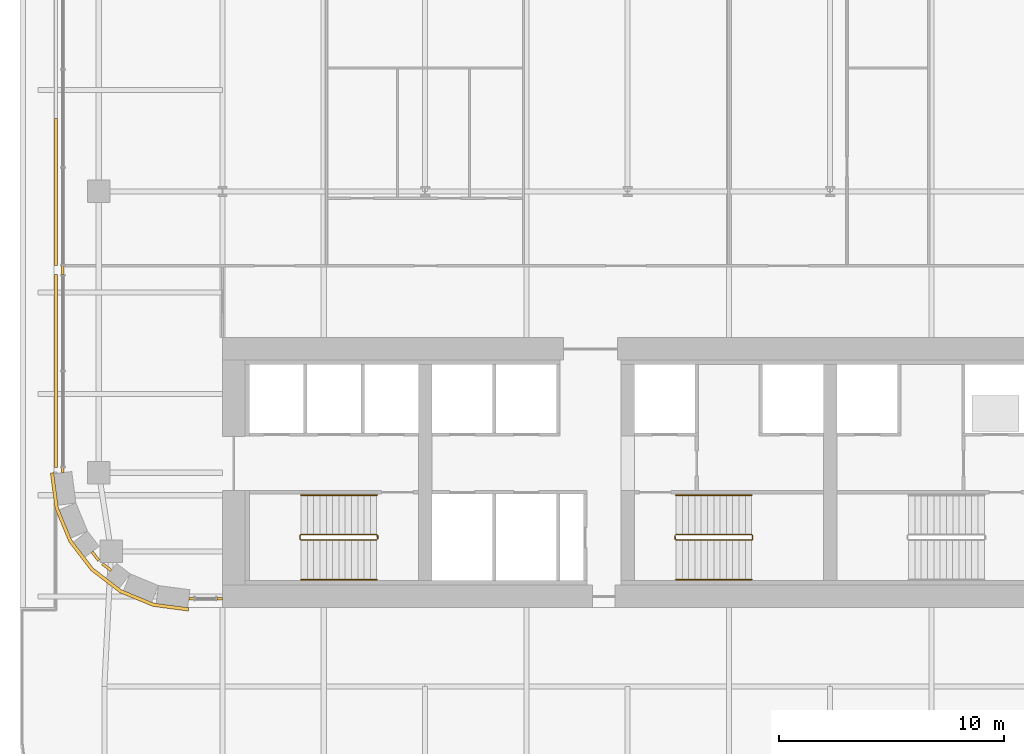
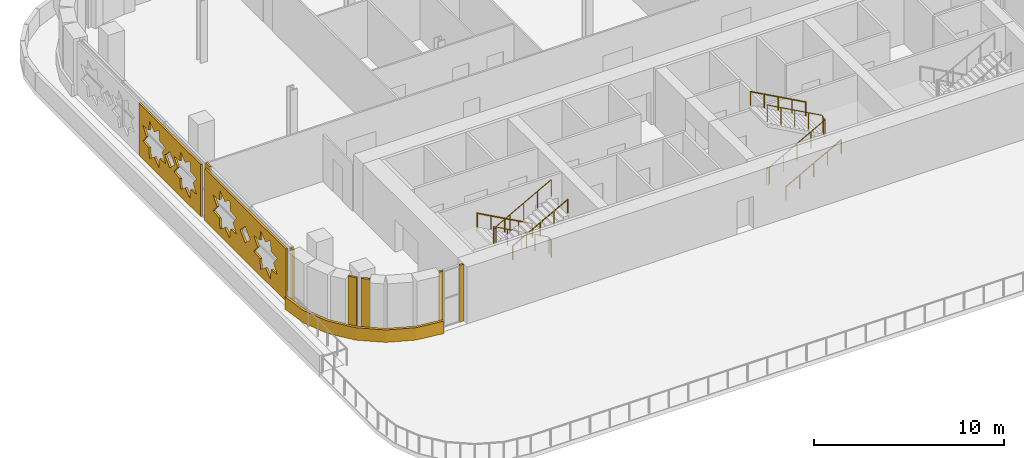
# One storey, part 19 of 26: 9 coverings, 6 railings.
"""IFC4 building model written with IfcOpenShell, lengths in metres."""

from ifc_helpers import new_model, si_unit, direction, frame, origin, origin_2d, place, context, subcontext, project, spatial, polyline, rectangle, circle, outline, extrude, material, layer, layer_set, type_object, element, save


model = new_model("IFC4")

# Units and contexts
model_context = context("Model", 3, precision=1e-05, world=origin(), true_north=direction((0.0, 1.0)))
body_context = subcontext(model_context, "Body", "Model", "MODEL_VIEW")
ifc_project = project(units=[si_unit("LENGTHUNIT", "METRE"), si_unit("AREAUNIT", "SQUARE_METRE"), si_unit("VOLUMEUNIT", "CUBIC_METRE"), si_unit("PLANEANGLEUNIT", "RADIAN"), si_unit("MASSUNIT", "GRAM", prefix="KILO")], contexts=[model_context])

# Site, building, storey
site_placement = place(None, origin())
site = spatial("IfcSite", under=ifc_project, at=site_placement, CompositionType="ELEMENT")
building_placement = place(site_placement, origin())
building = spatial("IfcBuilding", under=site, at=building_placement, Name="Zellij Exchange Tower", CompositionType="ELEMENT")
storey_placement = place(building_placement, frame((0.0, 0.0, 156.5)))
storey = spatial("IfcBuildingStorey", under=building, at=storey_placement, Name="L35", CompositionType="ELEMENT", Elevation=156.5)

# Railings
ifc_material_1 = material(Name="Stainless steel", Category="steel")
railing_type_1 = type_object("IfcRailingType", Name="CORE-RG stair guard", PredefinedType="GUARDRAIL", material=ifc_material_1)
railing_1_placement = place(storey_placement, frame((-20.10009765625, -10.800048828125, 0.0)))
element("IfcRailing", 1, at=railing_1_placement, inside=storey, type_object=railing_type_1, Name="ST1 stair guard L35", PredefinedType="GUARDRAIL", context=body_context, shape_type="SweptSolid", body=[
    extrude(circle(Radius=0.02392578125, at=origin_2d()), frame((0.0, 0.0, 1.076171875), z_axis=(0.0, -1.0, 0.0), x_axis=(1.0, 0.0, 0.0)), (0.0, 0.0, 1.0), 0.14990234375),
    extrude(circle(Radius=0.02392578125, at=origin_2d()), frame((0.0, -0.14990234375, 1.076171875), z_axis=(-0.193691321961, 0.777613689637, 0.598164376644), x_axis=(-0.970351222016, -0.241699205484, 0.0)), (0.0, 0.0, 1.0), 0.257080078125),
    extrude(circle(Radius=0.02392578125, at=origin_2d()), frame((-0.0498046875, 0.050048828125, 1.22998046875), z_axis=(-0.876421534553, 0.0, 0.481544695509), x_axis=(0.0, -1.0, 0.0)), (0.0, 0.0, 1.0), 3.833984375),
    extrude(circle(Radius=0.02392578125, at=origin_2d()), frame((-3.409912109375, 0.050048828125, 3.076171875), z_axis=(-0.707106781187, -0.707106781187, 0.0), x_axis=(0.707106781187, -0.707106781187, 0.0)), (0.0, 0.0, 1.0), 0.07080078125),
    extrude(circle(Radius=0.02392578125, at=origin_2d()), frame((-3.4599609375, 0.0, 3.076171875), z_axis=(0.0, -1.0, 0.0), x_axis=(1.0, 0.0, 0.0)), (0.0, 0.0, 1.0), 0.14990234375),
    extrude(circle(Radius=0.02392578125, at=origin_2d()), frame((-3.4599609375, -0.14990234375, 3.076171875), z_axis=(0.295599637079, -0.295599637079, 0.908428152975), x_axis=(0.707106781187, 0.707106781187, 0.0)), (0.0, 0.0, 1.0), 0.16943359375),
    extrude(circle(Radius=0.02392578125, at=origin_2d()), frame((-3.409912109375, -0.199951171875, 3.22998046875), z_axis=(0.876421534553, 0.0, 0.481544695509), x_axis=(0.0, 1.0, 0.0)), (0.0, 0.0, 1.0), 3.833984375),
    extrude(circle(Radius=0.02099609375, at=origin_2d()), origin(), (0.0, 0.0, 1.0), 1.052001953125),
    extrude(circle(Radius=0.02099609375, at=origin_2d()), frame((0.0, -0.14990234375, 0.0)), (0.0, 0.0, 1.0), 1.052001953125),
    extrude(circle(Radius=0.02099609375, at=origin_2d()), frame((-0.0498046875, 0.050048828125, 0.15380859375)), (0.0, 0.0, 1.0), 1.052001953125),
    extrude(circle(Radius=0.02099609375, at=origin_2d()), frame((-0.889892578125, 0.050048828125, 0.615234375)), (0.0, 0.0, 1.0), 1.052001953125),
    extrude(circle(Radius=0.02099609375, at=origin_2d()), frame((-1.72998046875, 0.050048828125, 1.076904296875)), (0.0, 0.0, 1.0), 1.052001953125),
    extrude(circle(Radius=0.02099609375, at=origin_2d()), frame((-2.56982421875, 0.050048828125, 1.53857421875)), (0.0, 0.0, 1.0), 1.052001953125),
    extrude(circle(Radius=0.02099609375, at=origin_2d()), frame((-3.409912109375, 0.050048828125, 2.0)), (0.0, 0.0, 1.0), 1.052001953125),
    extrude(circle(Radius=0.02099609375, at=origin_2d()), frame((-3.4599609375, 0.0, 2.0)), (0.0, 0.0, 1.0), 1.052001953125),
    extrude(circle(Radius=0.02099609375, at=origin_2d()), frame((-3.4599609375, -0.14990234375, 2.0)), (0.0, 0.0, 1.0), 1.052001953125),
    extrude(circle(Radius=0.02099609375, at=origin_2d()), frame((-3.409912109375, -0.199951171875, 2.15380859375)), (0.0, 0.0, 1.0), 1.052001953125),
    extrude(circle(Radius=0.02099609375, at=origin_2d()), frame((-2.56982421875, -0.199951171875, 2.615234375)), (0.0, 0.0, 1.0), 1.052001953125),
    extrude(circle(Radius=0.02099609375, at=origin_2d()), frame((-1.72998046875, -0.199951171875, 3.076904296875)), (0.0, 0.0, 1.0), 1.052001953125),
    extrude(circle(Radius=0.02099609375, at=origin_2d()), frame((-0.889892578125, -0.199951171875, 3.53857421875)), (0.0, 0.0, 1.0), 1.052001953125),
    extrude(circle(Radius=0.02099609375, at=origin_2d()), frame((-0.0498046875, -0.199951171875, 4.0)), (0.0, 0.0, 1.0), 1.052001953125),
])
railing_2_placement = place(storey_placement, frame((-6.89990234375, -10.949951171875, 0.0)))
element("IfcRailing", 2, at=railing_2_placement, inside=storey, type_object=railing_type_1, Name="ST2 stair guard L35", PredefinedType="GUARDRAIL", context=body_context, shape_type="SweptSolid", body=[
    extrude(circle(Radius=0.02392578125, at=origin_2d()), frame((0.0, 0.0, 1.076171875), z_axis=(0.0, 1.0, 0.0), x_axis=(-1.0, 0.0, 0.0)), (0.0, 0.0, 1.0), 0.14990234375),
    extrude(circle(Radius=0.02392578125, at=origin_2d()), frame((0.0, 0.14990234375, 1.076171875), z_axis=(0.193691321961, -0.777613689637, 0.598164376644), x_axis=(0.970351222016, 0.241699205484, 0.0)), (0.0, 0.0, 1.0), 0.257080078125),
    extrude(circle(Radius=0.02392578125, at=origin_2d()), frame((0.0498046875, -0.050048828125, 1.22998046875), z_axis=(0.876421534553, 0.0, 0.481544695509), x_axis=(0.0, 1.0, 0.0)), (0.0, 0.0, 1.0), 3.833984375),
    extrude(circle(Radius=0.02392578125, at=origin_2d()), frame((3.409912109375, -0.050048828125, 3.076171875), z_axis=(0.707106781187, 0.707106781187, 0.0), x_axis=(-0.707106781187, 0.707106781187, 0.0)), (0.0, 0.0, 1.0), 0.07080078125),
    extrude(circle(Radius=0.02392578125, at=origin_2d()), frame((3.4599609375, 0.0, 3.076171875), z_axis=(0.0, 1.0, 0.0), x_axis=(-1.0, 0.0, 0.0)), (0.0, 0.0, 1.0), 0.14990234375),
    extrude(circle(Radius=0.02392578125, at=origin_2d()), frame((3.4599609375, 0.14990234375, 3.076171875), z_axis=(-0.295599637079, 0.295599637079, 0.908428152975), x_axis=(-0.707106781187, -0.707106781187, 0.0)), (0.0, 0.0, 1.0), 0.16943359375),
    extrude(circle(Radius=0.02392578125, at=origin_2d()), frame((3.409912109375, 0.199951171875, 3.22998046875), z_axis=(-0.876421534553, 0.0, 0.481544695509), x_axis=(0.0, -1.0, 0.0)), (0.0, 0.0, 1.0), 3.833984375),
    extrude(circle(Radius=0.02099609375, at=origin_2d()), origin(), (0.0, 0.0, 1.0), 1.052001953125),
    extrude(circle(Radius=0.02099609375, at=origin_2d()), frame((0.0, 0.14990234375, 0.0)), (0.0, 0.0, 1.0), 1.052001953125),
    extrude(circle(Radius=0.02099609375, at=origin_2d()), frame((0.0498046875, -0.050048828125, 0.15380859375)), (0.0, 0.0, 1.0), 1.052001953125),
    extrude(circle(Radius=0.02099609375, at=origin_2d()), frame((0.889892578125, -0.050048828125, 0.615234375)), (0.0, 0.0, 1.0), 1.052001953125),
    extrude(circle(Radius=0.02099609375, at=origin_2d()), frame((1.72998046875, -0.050048828125, 1.076904296875)), (0.0, 0.0, 1.0), 1.052001953125),
    extrude(circle(Radius=0.02099609375, at=origin_2d()), frame((2.56982421875, -0.050048828125, 1.53857421875)), (0.0, 0.0, 1.0), 1.052001953125),
    extrude(circle(Radius=0.02099609375, at=origin_2d()), frame((3.409912109375, -0.050048828125, 2.0)), (0.0, 0.0, 1.0), 1.052001953125),
    extrude(circle(Radius=0.02099609375, at=origin_2d()), frame((3.4599609375, 0.0, 2.0)), (0.0, 0.0, 1.0), 1.052001953125),
    extrude(circle(Radius=0.02099609375, at=origin_2d()), frame((3.4599609375, 0.14990234375, 2.0)), (0.0, 0.0, 1.0), 1.052001953125),
    extrude(circle(Radius=0.02099609375, at=origin_2d()), frame((3.409912109375, 0.199951171875, 2.15380859375)), (0.0, 0.0, 1.0), 1.052001953125),
    extrude(circle(Radius=0.02099609375, at=origin_2d()), frame((2.56982421875, 0.199951171875, 2.615234375)), (0.0, 0.0, 1.0), 1.052001953125),
    extrude(circle(Radius=0.02099609375, at=origin_2d()), frame((1.72998046875, 0.199951171875, 3.076904296875)), (0.0, 0.0, 1.0), 1.052001953125),
    extrude(circle(Radius=0.02099609375, at=origin_2d()), frame((0.889892578125, 0.199951171875, 3.53857421875)), (0.0, 0.0, 1.0), 1.052001953125),
    extrude(circle(Radius=0.02099609375, at=origin_2d()), frame((0.0498046875, 0.199951171875, 4.0)), (0.0, 0.0, 1.0), 1.052001953125),
])
railing_type_2 = type_object("IfcRailingType", Name="CORE-RH stair handrail", PredefinedType="HANDRAIL", material=ifc_material_1)
railing_3_placement = place(storey_placement, frame((-20.14990234375, -9.0, 0.15380859375)))
element("IfcRailing", 3, at=railing_3_placement, inside=storey, type_object=railing_type_2, Name="ST1 stair handrail L35", PredefinedType="HANDRAIL", context=body_context, shape_type="SweptSolid", body=[
    extrude(circle(Radius=0.02392578125, at=origin_2d()), frame((0.0, 0.0, 0.8759765625), z_axis=(-0.876421534553, 0.0, 0.481544695509), x_axis=(0.0, -1.0, 0.0)), (0.0, 0.0, 1.0), 3.833984375),
    extrude(circle(Radius=0.02099609375, at=origin_2d()), origin(), (0.0, 0.0, 1.0), 0.851806640625),
    extrude(circle(Radius=0.02099609375, at=origin_2d()), frame((-0.840087890625, 0.0, 0.46142578125)), (0.0, 0.0, 1.0), 0.851806640625),
    extrude(circle(Radius=0.02099609375, at=origin_2d()), frame((-1.68017578125, 0.0, 0.923095703125)), (0.0, 0.0, 1.0), 0.851806640625),
    extrude(circle(Radius=0.02099609375, at=origin_2d()), frame((-2.52001953125, 0.0, 1.384765625)), (0.0, 0.0, 1.0), 0.851806640625),
    extrude(circle(Radius=0.02099609375, at=origin_2d()), frame((-3.360107421875, 0.0, 1.84619140625)), (0.0, 0.0, 1.0), 0.851806640625),
])
for number, where, name in (
    (4, (-23.510009765625, -12.75, 2.15380859375), "ST1 stair handrail L35"),
    (5, (-6.85009765625, -12.75, 0.15380859375), "ST2 stair handrail L35"),
):
    element("IfcRailing", number, at=place(storey_placement, frame(where)), inside=storey, type_object=railing_type_2, Name=name, PredefinedType="HANDRAIL", context=body_context, shape_type="SweptSolid", body=[
        extrude(circle(Radius=0.02392578125, at=origin_2d()), frame((0.0, 0.0, 0.8759765625), z_axis=(0.876421534553, 0.0, 0.481544695509), x_axis=(0.0, 1.0, 0.0)), (0.0, 0.0, 1.0), 3.833984375),
        extrude(circle(Radius=0.02099609375, at=origin_2d()), origin(), (0.0, 0.0, 1.0), 0.851806640625),
        extrude(circle(Radius=0.02099609375, at=origin_2d()), frame((0.840087890625, 0.0, 0.46142578125)), (0.0, 0.0, 1.0), 0.851806640625),
        extrude(circle(Radius=0.02099609375, at=origin_2d()), frame((1.68017578125, 0.0, 0.923095703125)), (0.0, 0.0, 1.0), 0.851806640625),
        extrude(circle(Radius=0.02099609375, at=origin_2d()), frame((2.52001953125, 0.0, 1.384765625)), (0.0, 0.0, 1.0), 0.851806640625),
        extrude(circle(Radius=0.02099609375, at=origin_2d()), frame((3.360107421875, 0.0, 1.84619140625)), (0.0, 0.0, 1.0), 0.851806640625),
    ])
railing_4_placement = place(storey_placement, frame((-3.489990234375, -9.0, 2.15380859375)))
element("IfcRailing", 6, at=railing_4_placement, inside=storey, type_object=railing_type_2, Name="ST2 stair handrail L35", PredefinedType="HANDRAIL", context=body_context, shape_type="SweptSolid", body=[
    extrude(circle(Radius=0.02392578125, at=origin_2d()), frame((0.0, 0.0, 0.8759765625), z_axis=(-0.876421534553, 0.0, 0.481544695509), x_axis=(0.0, -1.0, 0.0)), (0.0, 0.0, 1.0), 3.833984375),
    extrude(circle(Radius=0.02099609375, at=origin_2d()), origin(), (0.0, 0.0, 1.0), 0.851806640625),
    extrude(circle(Radius=0.02099609375, at=origin_2d()), frame((-0.840087890625, 0.0, 0.46142578125)), (0.0, 0.0, 1.0), 0.851806640625),
    extrude(circle(Radius=0.02099609375, at=origin_2d()), frame((-1.68017578125, 0.0, 0.923095703125)), (0.0, 0.0, 1.0), 0.851806640625),
    extrude(circle(Radius=0.02099609375, at=origin_2d()), frame((-2.52001953125, 0.0, 1.384765625)), (0.0, 0.0, 1.0), 0.851806640625),
    extrude(circle(Radius=0.02099609375, at=origin_2d()), frame((-3.360107421875, 0.0, 1.84619140625)), (0.0, 0.0, 1.0), 0.851806640625),
])

# Coverings
ifc_material_2 = material(Name="Limestone cladding", Category="masonry")
ifc_layer_1 = layer(ifc_material_2, 0.14990234375)
ifc_layer_set_1 = layer_set([ifc_layer_1], Name="Limestone cladding")
covering_type_1 = type_object("IfcCoveringType", Name="ENV-CV1 Stone spandrel band 150", PredefinedType="CLADDING", material=ifc_layer_set_1)
covering_1_placement = place(storey_placement, origin())
element("IfcCovering", 7, at=covering_1_placement, inside=storey, type_object=covering_type_1, Name="Stone spandrel band", PredefinedType="CLADDING", context=body_context, shape_type="SweptSolid", body=[
    extrude(outline(polyline([(-34.5, -8.0), (-34.295654296875, -9.552978515625), (-33.6962890625, -11.0), (-32.74267578125, -12.24267578125), (-31.5, -13.1962890625), (-30.052978515625, -13.795654296875), (-28.5, -14.0), (-28.509765625, -14.14990234375), (-30.092041015625, -13.941650390625), (-31.57568359375, -13.3271484375), (-32.849609375, -12.349609375), (-33.8271484375, -11.07568359375), (-34.441650390625, -9.592041015625), (-34.64990234375, -8.009765625), (-34.5, -8.0)])), origin(), (0.0, 0.0, 1.0), 0.800048828125),
])
ifc_layer_2 = layer(ifc_material_2, 0.1201171875)
ifc_layer_set_2 = layer_set([ifc_layer_2], Name="Limestone cladding")
covering_type_2 = type_object("IfcCoveringType", Name="ENV-CV18 Glazing closer 120", PredefinedType="CLADDING", material=ifc_layer_set_2)
for number, where, z_axis, x_axis, name in (
    (8, (-32.647705078125, -11.709228515625, 0.0), (0.0, 0.0, 1.0), (0.608809891071, -0.793316151692, 0.0), "Glazing closer"),
    (9, (-32.14404296875, -12.19775390625, 0.0), (0.0, 0.0, 1.0), (-0.793316151692, 0.608809891071, 0.0), "Glazing closer"),
):
    element("IfcCovering", number, at=place(storey_placement, frame(where, z_axis=z_axis, x_axis=x_axis)), inside=storey, type_object=covering_type_2, Name=name, PredefinedType="CLADDING", context=body_context, shape_type="SweptSolid", body=[
        extrude(rectangle(XDim=0.492919921875, YDim=0.1201171875, at=origin_2d()), origin(), (0.0, 0.0, 1.0), 3.64990234375),
    ])
covering_2_placement = place(storey_placement, frame((-34.10009765625, 1.00537109375, 0.0), z_axis=(0.0, 0.0, 1.0), x_axis=(0.0, -1.0, 0.0)))
element("IfcCovering", 10, at=covering_2_placement, inside=storey, type_object=covering_type_2, Name="Glazing closer", PredefinedType="CLADDING", context=body_context, shape_type="SweptSolid", body=[
    extrude(rectangle(XDim=0.39990234375, YDim=0.1201171875, at=origin_2d()), origin(), (0.0, 0.0, 1.0), 3.64990234375),
])
covering_3_placement = place(storey_placement, frame((-27.125, -13.60009765625, 0.0), z_axis=(0.0, 0.0, 1.0), x_axis=(1.0, 0.0, 0.0)))
element("IfcCovering", 11, at=covering_3_placement, inside=storey, type_object=covering_type_2, Name="Glazing closer", PredefinedType="CLADDING", context=body_context, shape_type="SweptSolid", body=[
    extrude(rectangle(XDim=0.25, YDim=0.1201171875, at=origin_2d()), origin(), (0.0, 0.0, 1.0), 3.64990234375),
])
for number, where, z_axis, x_axis, name in (
    (12, (-28.383056640625, -13.60009765625, 0.0), (0.0, 0.0, 1.0), (-1.0, 0.0, 0.0), "Glazing closer"),
    (13, (-34.10009765625, -7.883056640625, 0.0), (0.0, 0.0, 1.0), (0.0, -1.0, 0.0), "Glazing closer"),
):
    element("IfcCovering", number, at=place(storey_placement, frame(where, z_axis=z_axis, x_axis=x_axis)), inside=storey, type_object=covering_type_2, Name=name, PredefinedType="CLADDING", context=body_context, shape_type="SweptSolid", body=[
        extrude(rectangle(XDim=0.218505859375, YDim=0.1201171875, at=origin_2d()), origin(), (0.0, 0.0, 1.0), 3.64990234375),
    ])
ifc_material_3 = material(Name="Limestone screen", Category="masonry")
ifc_layer_3 = layer(ifc_material_3, 0.1201171875)
ifc_layer_set_3 = layer_set([ifc_layer_3], Name="Limestone screen")
covering_type_3 = type_object("IfcCoveringType", Name="ENV-SC1 Pierced stone screen 120", PredefinedType="USERDEFINED", material=ifc_layer_set_3)
covering_4_placement = place(storey_placement, frame((-34.39990234375, 7.739501953125, 0.300048828125), z_axis=(0.0, 0.0, 1.0), x_axis=(0.0, -1.0, 0.0)))
element("IfcCovering", 14, at=covering_4_placement, inside=storey, type_object=covering_type_3, Name="Pierced stone screen", ObjectType="SCREEN", PredefinedType="USERDEFINED", context=body_context, shape_type="SweptSolid", body=[
    extrude(outline(polyline([(0.0, 0.0), (6.5341796875, 0.0), (6.5341796875, 3.35009765625), (0.0, 3.35009765625), (0.0, 0.0)]), holes=[polyline([(2.8408203125, 2.175048828125), (2.20654296875, 2.247802734375), (2.1337890625, 2.88232421875), (1.633544921875, 2.485107421875), (1.133544921875, 2.88232421875), (1.060546875, 2.247802734375), (0.42626953125, 2.175048828125), (0.8232421875, 1.675048828125), (0.42626953125, 1.1748046875), (1.060546875, 1.10205078125), (1.133544921875, 0.467529296875), (1.633544921875, 0.86474609375), (2.1337890625, 0.467529296875), (2.20654296875, 1.10205078125), (2.8408203125, 1.1748046875), (2.44384765625, 1.675048828125), (2.8408203125, 2.175048828125)]), polyline([(6.108154296875, 2.175048828125), (5.4736328125, 2.247802734375), (5.40087890625, 2.88232421875), (4.900634765625, 2.485107421875), (4.400634765625, 2.88232421875), (4.327880859375, 2.247802734375), (3.693359375, 2.175048828125), (4.09033203125, 1.675048828125), (3.693359375, 1.1748046875), (4.327880859375, 1.10205078125), (4.400634765625, 0.467529296875), (4.900634765625, 0.86474609375), (5.40087890625, 0.467529296875), (5.4736328125, 1.10205078125), (6.108154296875, 1.1748046875), (5.7109375, 1.675048828125), (6.108154296875, 2.175048828125)]), polyline([(3.789794921875, 1.675048828125), (3.26708984375, 2.19775390625), (2.744384765625, 1.675048828125), (3.26708984375, 1.15234375), (3.789794921875, 1.675048828125)])]), frame((0.0, 0.06005859375, 0.0), z_axis=(0.0, -1.0, 0.0), x_axis=(1.0, 0.0, 0.0)), (0.0, 0.0, 1.0), 0.1201171875),
])
covering_5_placement = place(storey_placement, frame((-34.39990234375, 0.805419921875, 0.300048828125), z_axis=(0.0, 0.0, 1.0), x_axis=(0.0, -1.0, 0.0)))
element("IfcCovering", 15, at=covering_5_placement, inside=storey, type_object=covering_type_3, Name="Pierced stone screen", ObjectType="SCREEN", PredefinedType="USERDEFINED", context=body_context, shape_type="SweptSolid", body=[
    extrude(outline(polyline([(0.0, 0.0), (8.5791015625, 0.0), (8.5791015625, 3.35009765625), (0.0, 3.35009765625), (0.0, 0.0)]), holes=[polyline([(3.3828125, 2.187744140625), (2.732177734375, 2.262451171875), (2.65771484375, 2.9130859375), (2.144775390625, 2.505859375), (1.632080078125, 2.9130859375), (1.557373046875, 2.262451171875), (0.90673828125, 2.187744140625), (1.31396484375, 1.675048828125), (0.90673828125, 1.162109375), (1.557373046875, 1.08740234375), (1.632080078125, 0.43701171875), (2.144775390625, 0.84423828125), (2.65771484375, 0.43701171875), (2.732177734375, 1.08740234375), (3.3828125, 1.162109375), (2.9755859375, 1.675048828125), (3.3828125, 2.187744140625)]), polyline([(7.67236328125, 2.187744140625), (7.021728515625, 2.262451171875), (6.947021484375, 2.9130859375), (6.434326171875, 2.505859375), (5.92138671875, 2.9130859375), (5.8466796875, 2.262451171875), (5.1962890625, 2.187744140625), (5.603515625, 1.675048828125), (5.1962890625, 1.162109375), (5.8466796875, 1.08740234375), (5.92138671875, 0.43701171875), (6.434326171875, 0.84423828125), (6.947021484375, 0.43701171875), (7.021728515625, 1.08740234375), (7.67236328125, 1.162109375), (7.26513671875, 1.675048828125), (7.67236328125, 2.187744140625)]), polyline([(4.825439453125, 1.675048828125), (4.28955078125, 2.2109375), (3.75341796875, 1.675048828125), (4.28955078125, 1.138916015625), (4.825439453125, 1.675048828125)])]), frame((0.0, 0.06005859375, 0.0), z_axis=(0.0, -1.0, 0.0), x_axis=(1.0, 0.0, 0.0)), (0.0, 0.0, 1.0), 0.1201171875),
])

save(model, "model.ifc")
